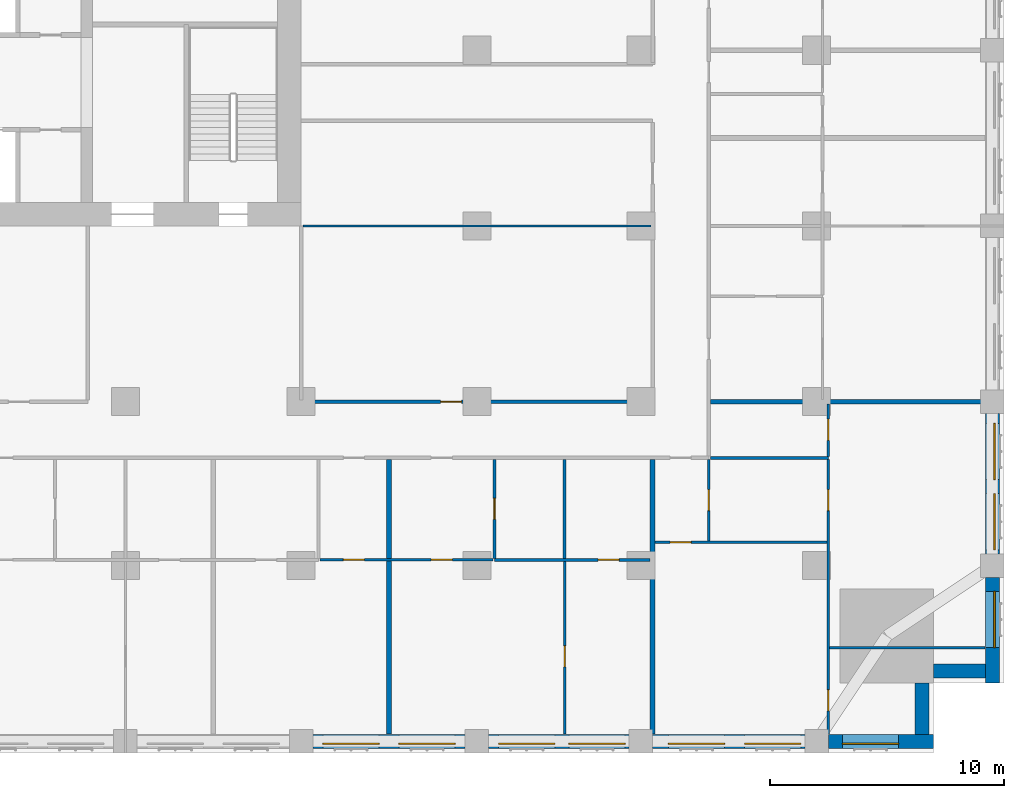
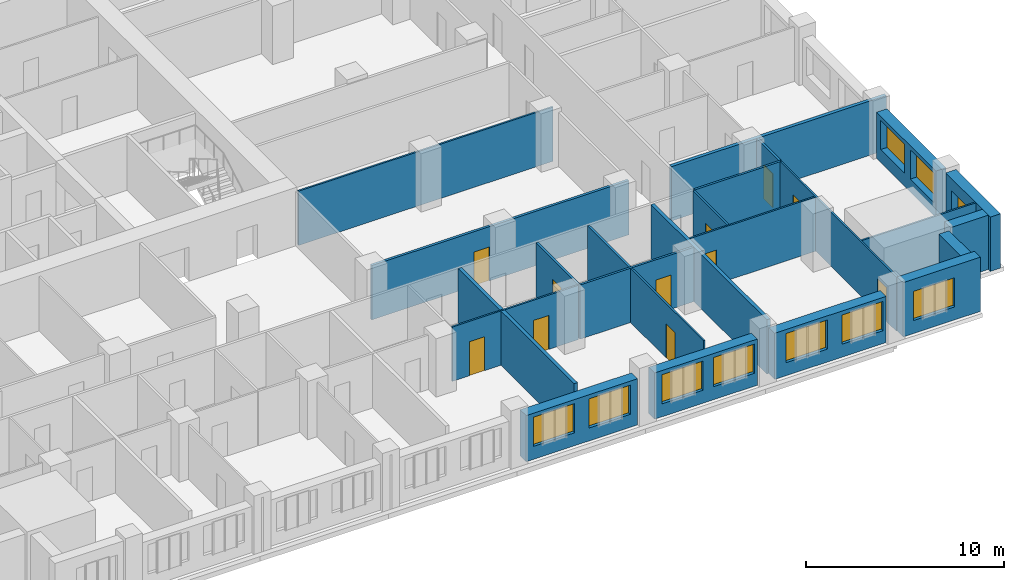
# One storey, part 6 of 14: 24 walls, 11 doors, 10 windows, 21 openings.
"""IFC4 building model written with IfcOpenShell, lengths in metres."""

from ifc_helpers import new_model, si_unit, direction, frame, frame_2d, origin, place, context, subcontext, project, spatial, rectangle, extrude, material, layer, layer_set, type_object, element, fill, save


model = new_model("IFC4")

# Units and contexts
model_context = context("Model", 3, precision=1e-05, world=origin(), true_north=direction((0.0, 1.0)))
body_context = subcontext(model_context, "Body", "Model", "MODEL_VIEW")
ifc_project = project(units=[si_unit("LENGTHUNIT", "METRE"), si_unit("AREAUNIT", "SQUARE_METRE"), si_unit("VOLUMEUNIT", "CUBIC_METRE"), si_unit("PLANEANGLEUNIT", "RADIAN"), si_unit("MASSUNIT", "GRAM", prefix="KILO")], contexts=[model_context])

# Site, building, storey
site_placement = place(None, origin())
site = spatial("IfcSite", under=ifc_project, at=site_placement, CompositionType="ELEMENT")
building_placement = place(site_placement, origin())
building = spatial("IfcBuilding", under=site, at=building_placement, Name="Tamorin Gate", CompositionType="ELEMENT")
storey_placement = place(building_placement, frame((0.0, 0.0, 55.60009765625)))
storey = spatial("IfcBuildingStorey", under=building, at=storey_placement, Name="L12", CompositionType="ELEMENT", Elevation=55.60009765625)

# Wall, openings, windows
ifc_material_1 = material(Name="Precast concrete C40/50", Category="concrete")
ifc_layer_1 = layer(ifc_material_1, 0.60009765625)
ifc_layer_set_1 = layer_set([ifc_layer_1], Name="Precast concrete C40/50")
wall_type_1 = type_object("IfcWallType", Name="Board-marked concrete facade panel 600", PredefinedType="SOLIDWALL", material=ifc_layer_set_1)
wall_1_placement = place(storey_placement, frame((60.5, 38.0, 0.0), z_axis=(0.0, 0.0, 1.0), x_axis=(1.0, 0.0, 0.0)))
wall_1 = element("IfcWall", 1, at=wall_1_placement, inside=storey, type_object=wall_type_1, Name="Facade panel", PredefinedType="SOLIDWALL", context=body_context, shape_type="SweptSolid", body=[
    extrude(rectangle(XDim=6.5, YDim=0.60009765625, at=frame_2d((3.25, 0.0))), origin(), (0.0, 0.0, 1.0), 2.849853515625),
])
opening_1_placement = place(wall_1_placement, frame((0.425048828125, 0.0, 0.800048828125)))
opening_1 = element("IfcOpeningElement", 2, at=opening_1_placement, cuts=wall_1, Name="Opening WN1", PredefinedType="OPENING", context=body_context, shape_type="SweptSolid", body=[
    extrude(rectangle(XDim=2.39990234375, YDim=1.800048828125, at=frame_2d((1.199951171875, 0.89990234375))), frame((0.0, 0.31005859375, 0.0), z_axis=(0.0, -1.0, 0.0), x_axis=(1.0, 0.0, 0.0)), (0.0, 0.0, 1.0), 0.6201171875),
])
opening_2_placement = place(wall_1_placement, frame((3.675048828125, 0.0, 0.800048828125)))
opening_2 = element("IfcOpeningElement", 3, at=opening_2_placement, cuts=wall_1, Name="Opening WN1", PredefinedType="OPENING", context=body_context, shape_type="SweptSolid", body=[
    extrude(rectangle(XDim=2.39990234375, YDim=1.800048828125, at=frame_2d((1.199951171875, 0.89990234375))), frame((0.0, 0.31005859375, 0.0), z_axis=(0.0, -1.0, 0.0), x_axis=(1.0, 0.0, 0.0)), (0.0, 0.0, 1.0), 0.6201171875),
])
ifc_material_2 = material(Name="Clear glass in aluminium frame", Category="aluminium")
window_type = type_object("IfcWindowType", Name="Deep-set window 2400x1800", PartitioningType="SINGLE_PANEL", PredefinedType="WINDOW", material=ifc_material_2)
window_1_placement = place(opening_1_placement, origin())
window_1 = element("IfcWindow", 4, at=window_1_placement, inside=storey, type_object=window_type, Name="Deep-set window", OverallHeight=1.800048828125, OverallWidth=2.39990234375, PartitioningType="SINGLE_PANEL", PredefinedType="WINDOW", context=body_context, shape_type="SweptSolid", body=[
    extrude(rectangle(XDim=2.39990234375, YDim=1.800048828125, at=frame_2d((1.199951171875, 0.89990234375))), frame((0.0, -0.070068359375, 0.0), z_axis=(0.0, -1.0, 0.0), x_axis=(1.0, 0.0, 0.0)), (0.0, 0.0, 1.0), 0.06005859375),
])
fill(opening_1, window_1)
window_2_placement = place(opening_2_placement, origin())
window_2 = element("IfcWindow", 5, at=window_2_placement, inside=storey, type_object=window_type, Name="Deep-set window", OverallHeight=1.800048828125, OverallWidth=2.39990234375, PartitioningType="SINGLE_PANEL", PredefinedType="WINDOW", context=body_context, shape_type="SweptSolid", body=[
    extrude(rectangle(XDim=2.39990234375, YDim=1.800048828125, at=frame_2d((1.199951171875, 0.89990234375))), frame((0.0, -0.070068359375, 0.0), z_axis=(0.0, -1.0, 0.0), x_axis=(1.0, 0.0, 0.0)), (0.0, 0.0, 1.0), 0.06005859375),
])
fill(opening_2, window_2)

wall_2_placement = place(storey_placement, frame((68.0, 38.0, 0.0), z_axis=(0.0, 0.0, 1.0), x_axis=(1.0, 0.0, 0.0)))
wall_2 = element("IfcWall", 6, at=wall_2_placement, inside=storey, type_object=wall_type_1, Name="Facade panel", PredefinedType="SOLIDWALL", context=body_context, shape_type="SweptSolid", body=[
    extrude(rectangle(XDim=6.0, YDim=0.60009765625, at=frame_2d((3.0, 0.0))), origin(), (0.0, 0.0, 1.0), 2.849853515625),
])
opening_3_placement = place(wall_2_placement, frame((0.425048828125, 0.0, 0.800048828125)))
opening_3 = element("IfcOpeningElement", 7, at=opening_3_placement, cuts=wall_2, Name="Opening WN1", PredefinedType="OPENING", context=body_context, shape_type="SweptSolid", body=[
    extrude(rectangle(XDim=2.39990234375, YDim=1.800048828125, at=frame_2d((1.199951171875, 0.89990234375))), frame((0.0, 0.31005859375, 0.0), z_axis=(0.0, -1.0, 0.0), x_axis=(1.0, 0.0, 0.0)), (0.0, 0.0, 1.0), 0.6201171875),
])
opening_4_placement = place(wall_2_placement, frame((3.425048828125, 0.0, 0.800048828125)))
opening_4 = element("IfcOpeningElement", 8, at=opening_4_placement, cuts=wall_2, Name="Opening WN1", PredefinedType="OPENING", context=body_context, shape_type="SweptSolid", body=[
    extrude(rectangle(XDim=2.39990234375, YDim=1.800048828125, at=frame_2d((1.199951171875, 0.89990234375))), frame((0.0, 0.31005859375, 0.0), z_axis=(0.0, -1.0, 0.0), x_axis=(1.0, 0.0, 0.0)), (0.0, 0.0, 1.0), 0.6201171875),
])
window_3_placement = place(opening_3_placement, origin())
window_3 = element("IfcWindow", 9, at=window_3_placement, inside=storey, type_object=window_type, Name="Deep-set window", OverallHeight=1.800048828125, OverallWidth=2.39990234375, PartitioningType="SINGLE_PANEL", PredefinedType="WINDOW", context=body_context, shape_type="SweptSolid", body=[
    extrude(rectangle(XDim=2.39990234375, YDim=1.800048828125, at=frame_2d((1.199951171875, 0.89990234375))), frame((0.0, -0.070068359375, 0.0), z_axis=(0.0, -1.0, 0.0), x_axis=(1.0, 0.0, 0.0)), (0.0, 0.0, 1.0), 0.06005859375),
])
fill(opening_3, window_3)
window_4_placement = place(opening_4_placement, origin())
window_4 = element("IfcWindow", 10, at=window_4_placement, inside=storey, type_object=window_type, Name="Deep-set window", OverallHeight=1.800048828125, OverallWidth=2.39990234375, PartitioningType="SINGLE_PANEL", PredefinedType="WINDOW", context=body_context, shape_type="SweptSolid", body=[
    extrude(rectangle(XDim=2.39990234375, YDim=1.800048828125, at=frame_2d((1.199951171875, 0.89990234375))), frame((0.0, -0.070068359375, 0.0), z_axis=(0.0, -1.0, 0.0), x_axis=(1.0, 0.0, 0.0)), (0.0, 0.0, 1.0), 0.06005859375),
])
fill(opening_4, window_4)

wall_3_placement = place(storey_placement, frame((75.0, 38.0, 0.0), z_axis=(0.0, 0.0, 1.0), x_axis=(1.0, 0.0, 0.0)))
wall_3 = element("IfcWall", 11, at=wall_3_placement, inside=storey, type_object=wall_type_1, Name="Facade panel", PredefinedType="SOLIDWALL", context=body_context, shape_type="SweptSolid", body=[
    extrude(rectangle(XDim=6.5, YDim=0.60009765625, at=frame_2d((3.25, 0.0))), origin(), (0.0, 0.0, 1.0), 2.849853515625),
])
opening_5_placement = place(wall_3_placement, frame((0.675048828125, 0.0, 0.800048828125)))
opening_5 = element("IfcOpeningElement", 12, at=opening_5_placement, cuts=wall_3, Name="Opening WN1", PredefinedType="OPENING", context=body_context, shape_type="SweptSolid", body=[
    extrude(rectangle(XDim=2.39990234375, YDim=1.800048828125, at=frame_2d((1.199951171875, 0.89990234375))), frame((0.0, 0.31005859375, 0.0), z_axis=(0.0, -1.0, 0.0), x_axis=(1.0, 0.0, 0.0)), (0.0, 0.0, 1.0), 0.6201171875),
])
opening_6_placement = place(wall_3_placement, frame((3.925048828125, 0.0, 0.800048828125)))
opening_6 = element("IfcOpeningElement", 13, at=opening_6_placement, cuts=wall_3, Name="Opening WN1", PredefinedType="OPENING", context=body_context, shape_type="SweptSolid", body=[
    extrude(rectangle(XDim=2.39990234375, YDim=1.800048828125, at=frame_2d((1.199951171875, 0.89990234375))), frame((0.0, 0.31005859375, 0.0), z_axis=(0.0, -1.0, 0.0), x_axis=(1.0, 0.0, 0.0)), (0.0, 0.0, 1.0), 0.6201171875),
])
window_5_placement = place(opening_5_placement, origin())
window_5 = element("IfcWindow", 14, at=window_5_placement, inside=storey, type_object=window_type, Name="Deep-set window", OverallHeight=1.800048828125, OverallWidth=2.39990234375, PartitioningType="SINGLE_PANEL", PredefinedType="WINDOW", context=body_context, shape_type="SweptSolid", body=[
    extrude(rectangle(XDim=2.39990234375, YDim=1.800048828125, at=frame_2d((1.199951171875, 0.89990234375))), frame((0.0, -0.070068359375, 0.0), z_axis=(0.0, -1.0, 0.0), x_axis=(1.0, 0.0, 0.0)), (0.0, 0.0, 1.0), 0.06005859375),
])
fill(opening_5, window_5)
window_6_placement = place(opening_6_placement, origin())
window_6 = element("IfcWindow", 15, at=window_6_placement, inside=storey, type_object=window_type, Name="Deep-set window", OverallHeight=1.800048828125, OverallWidth=2.39990234375, PartitioningType="SINGLE_PANEL", PredefinedType="WINDOW", context=body_context, shape_type="SweptSolid", body=[
    extrude(rectangle(XDim=2.39990234375, YDim=1.800048828125, at=frame_2d((1.199951171875, 0.89990234375))), frame((0.0, -0.070068359375, 0.0), z_axis=(0.0, -1.0, 0.0), x_axis=(1.0, 0.0, 0.0)), (0.0, 0.0, 1.0), 0.06005859375),
])
fill(opening_6, window_6)

# Wall, opening, window
wall_4_placement = place(storey_placement, frame((82.5, 38.0, 0.0), z_axis=(0.0, 0.0, 1.0), x_axis=(1.0, 0.0, 0.0)))
wall_4 = element("IfcWall", 16, at=wall_4_placement, inside=storey, type_object=wall_type_1, Name="Facade panel", PredefinedType="SOLIDWALL", context=body_context, shape_type="SweptSolid", body=[
    extrude(rectangle(XDim=4.5, YDim=0.60009765625, at=frame_2d((2.25, 0.0))), origin(), (0.0, 0.0, 1.0), 3.349853515625),
])
opening_7_placement = place(wall_4_placement, frame((0.60009765625, 0.0, 0.800048828125)))
opening_7 = element("IfcOpeningElement", 17, at=opening_7_placement, cuts=wall_4, Name="Opening WN1", PredefinedType="OPENING", context=body_context, shape_type="SweptSolid", body=[
    extrude(rectangle(XDim=2.39990234375, YDim=1.800048828125, at=frame_2d((1.199951171875, 0.89990234375))), frame((0.0, 0.31005859375, 0.0), z_axis=(0.0, -1.0, 0.0), x_axis=(1.0, 0.0, 0.0)), (0.0, 0.0, 1.0), 0.6201171875),
])
window_7_placement = place(opening_7_placement, origin())
window_7 = element("IfcWindow", 18, at=window_7_placement, inside=storey, type_object=window_type, Name="Deep-set window", OverallHeight=1.800048828125, OverallWidth=2.39990234375, PartitioningType="SINGLE_PANEL", PredefinedType="WINDOW", context=body_context, shape_type="SweptSolid", body=[
    extrude(rectangle(XDim=2.39990234375, YDim=1.800048828125, at=frame_2d((1.199951171875, 0.89990234375))), frame((0.0, -0.070068359375, 0.0), z_axis=(0.0, -1.0, 0.0), x_axis=(1.0, 0.0, 0.0)), (0.0, 0.0, 1.0), 0.06005859375),
])
fill(opening_7, window_7)

# Walls
for number, where, z_axis, x_axis, name in (
    (19, (86.5, 38.300048828125, 0.0), (0.0, 0.0, 1.0), (0.0, 1.0, 0.0), "Facade panel"),
    (20, (87.0, 41.0, 0.0), (0.0, 0.0, 1.0), (1.0, 0.0, 0.0), "Facade panel"),
):
    element("IfcWall", number, at=place(storey_placement, frame(where, z_axis=z_axis, x_axis=x_axis)), inside=storey, type_object=wall_type_1, Name=name, PredefinedType="SOLIDWALL", context=body_context, shape_type="SweptSolid", body=[
        extrude(rectangle(XDim=2.199951171875, YDim=0.60009765625, at=frame_2d((1.10009765625, 0.0))), origin(), (0.0, 0.0, 1.0), 3.349853515625),
    ])

# Wall, opening, window
wall_5_placement = place(storey_placement, frame((89.5, 40.5, 0.0), z_axis=(0.0, 0.0, 1.0), x_axis=(0.0, 1.0, 0.0)))
wall_5 = element("IfcWall", 21, at=wall_5_placement, inside=storey, type_object=wall_type_1, Name="Facade panel", PredefinedType="SOLIDWALL", context=body_context, shape_type="SweptSolid", body=[
    extrude(rectangle(XDim=4.5, YDim=0.60009765625, at=frame_2d((2.25, 0.0))), origin(), (0.0, 0.0, 1.0), 3.349853515625),
])
opening_8_placement = place(wall_5_placement, frame((1.5, 0.0, 0.800048828125)))
opening_8 = element("IfcOpeningElement", 22, at=opening_8_placement, cuts=wall_5, Name="Opening WN1", PredefinedType="OPENING", context=body_context, shape_type="SweptSolid", body=[
    extrude(rectangle(XDim=2.39990234375, YDim=1.800048828125, at=frame_2d((1.199951171875, 0.89990234375))), frame((0.0, 0.31005859375, 0.0), z_axis=(0.0, -1.0, 0.0), x_axis=(1.0, 0.0, 0.0)), (0.0, 0.0, 1.0), 0.6201171875),
])
window_8_placement = place(opening_8_placement, origin())
window_8 = element("IfcWindow", 23, at=window_8_placement, inside=storey, type_object=window_type, Name="Deep-set window", OverallHeight=1.800048828125, OverallWidth=2.39990234375, PartitioningType="SINGLE_PANEL", PredefinedType="WINDOW", context=body_context, shape_type="SweptSolid", body=[
    extrude(rectangle(XDim=2.39990234375, YDim=1.800048828125, at=frame_2d((1.199951171875, 0.89990234375))), frame((0.0, -0.070068359375, 0.0), z_axis=(0.0, -1.0, 0.0), x_axis=(1.0, 0.0, 0.0)), (0.0, 0.0, 1.0), 0.06005859375),
])
fill(opening_8, window_8)

# Wall, openings, windows
wall_6_placement = place(storey_placement, frame((89.5, 46.0, 0.0), z_axis=(0.0, 0.0, 1.0), x_axis=(0.0, 1.0, 0.0)))
wall_6 = element("IfcWall", 24, at=wall_6_placement, inside=storey, type_object=wall_type_1, Name="Facade panel", PredefinedType="SOLIDWALL", context=body_context, shape_type="SweptSolid", body=[
    extrude(rectangle(XDim=6.0, YDim=0.60009765625, at=frame_2d((3.0, 0.0))), origin(), (0.0, 0.0, 1.0), 2.849853515625),
])
opening_9_placement = place(wall_6_placement, frame((0.175048828125, 0.0, 0.800048828125)))
opening_9 = element("IfcOpeningElement", 25, at=opening_9_placement, cuts=wall_6, Name="Opening WN1", PredefinedType="OPENING", context=body_context, shape_type="SweptSolid", body=[
    extrude(rectangle(XDim=2.39990234375, YDim=1.800048828125, at=frame_2d((1.199951171875, 0.89990234375))), frame((0.0, 0.31005859375, 0.0), z_axis=(0.0, -1.0, 0.0), x_axis=(1.0, 0.0, 0.0)), (0.0, 0.0, 1.0), 0.6201171875),
])
opening_10_placement = place(wall_6_placement, frame((3.175048828125, 0.0, 0.800048828125)))
opening_10 = element("IfcOpeningElement", 26, at=opening_10_placement, cuts=wall_6, Name="Opening WN1", PredefinedType="OPENING", context=body_context, shape_type="SweptSolid", body=[
    extrude(rectangle(XDim=2.39990234375, YDim=1.800048828125, at=frame_2d((1.199951171875, 0.89990234375))), frame((0.0, 0.31005859375, 0.0), z_axis=(0.0, -1.0, 0.0), x_axis=(1.0, 0.0, 0.0)), (0.0, 0.0, 1.0), 0.6201171875),
])
window_9_placement = place(opening_9_placement, origin())
window_9 = element("IfcWindow", 27, at=window_9_placement, inside=storey, type_object=window_type, Name="Deep-set window", OverallHeight=1.800048828125, OverallWidth=2.39990234375, PartitioningType="SINGLE_PANEL", PredefinedType="WINDOW", context=body_context, shape_type="SweptSolid", body=[
    extrude(rectangle(XDim=2.39990234375, YDim=1.800048828125, at=frame_2d((1.199951171875, 0.89990234375))), frame((0.0, -0.070068359375, 0.0), z_axis=(0.0, -1.0, 0.0), x_axis=(1.0, 0.0, 0.0)), (0.0, 0.0, 1.0), 0.06005859375),
])
fill(opening_9, window_9)
window_10_placement = place(opening_10_placement, origin())
window_10 = element("IfcWindow", 28, at=window_10_placement, inside=storey, type_object=window_type, Name="Deep-set window", OverallHeight=1.800048828125, OverallWidth=2.39990234375, PartitioningType="SINGLE_PANEL", PredefinedType="WINDOW", context=body_context, shape_type="SweptSolid", body=[
    extrude(rectangle(XDim=2.39990234375, YDim=1.800048828125, at=frame_2d((1.199951171875, 0.89990234375))), frame((0.0, -0.070068359375, 0.0), z_axis=(0.0, -1.0, 0.0), x_axis=(1.0, 0.0, 0.0)), (0.0, 0.0, 1.0), 0.06005859375),
])
fill(opening_10, window_10)

# Wall, opening, door
ifc_material_3 = material(Name="Gypsum board partition")
ifc_layer_2 = layer(ifc_material_3, 0.14990234375)
ifc_layer_set_2 = layer_set([ifc_layer_2], Name="Corridor wall 150")
wall_type_2 = type_object("IfcWallType", Name="Corridor wall 150", PredefinedType="PARTITIONING", material=ifc_layer_set_2)
wall_7_placement = place(storey_placement, frame((60.0, 52.5, 0.0), z_axis=(0.0, 0.0, 1.0), x_axis=(1.0, 0.0, 0.0)))
wall_7 = element("IfcWall", 29, at=wall_7_placement, inside=storey, type_object=wall_type_2, Name="Corridor wall 150", PredefinedType="PARTITIONING", context=body_context, shape_type="SweptSolid", body=[
    extrude(rectangle(XDim=15.0, YDim=0.14990234375, at=frame_2d((7.5, 0.0))), origin(), (0.0, 0.0, 1.0), 3.349853515625),
])
opening_11_placement = place(wall_7_placement, frame((5.949951171875, 0.0, 0.0)))
opening_11 = element("IfcOpeningElement", 30, at=opening_11_placement, cuts=wall_7, Name="Opening DH3076", PredefinedType="OPENING", context=body_context, shape_type="SweptSolid", body=[
    extrude(rectangle(XDim=0.89990234375, YDim=2.10009765625, at=frame_2d((0.449951171875, 1.050048828125))), frame((0.0, 0.0849609375, 0.0), z_axis=(0.0, -1.0, 0.0), x_axis=(1.0, 0.0, 0.0)), (0.0, 0.0, 1.0), 0.169921875),
])
ifc_material_4 = material(Name="Timber door leaf", Category="wood")
door_type_1 = type_object("IfcDoorType", Name="Door 900 x 2100 FD30S", OperationType="NOTDEFINED", PredefinedType="DOOR", material=ifc_material_4)
door_1_placement = place(opening_11_placement, origin())
door_1 = element("IfcDoor", 31, at=door_1_placement, inside=storey, type_object=door_type_1, Name="Door DH3076", OperationType="SINGLE_SWING_LEFT", OverallHeight=2.10009765625, OverallWidth=0.89990234375, PredefinedType="DOOR", context=body_context, shape_type="SweptSolid", body=[
    extrude(rectangle(XDim=0.89990234375, YDim=2.10009765625, at=frame_2d((0.449951171875, 1.050048828125))), frame((0.0, 0.02490234375, 0.0), z_axis=(0.0, -1.0, 0.0), x_axis=(1.0, 0.0, 0.0)), (0.0, 0.0, 1.0), 0.050048828125),
])
fill(opening_11, door_1)

# Walls
ifc_layer_3 = layer(ifc_material_3, 0.199951171875)
ifc_layer_set_3 = layer_set([ifc_layer_3], Name="Demising wall 200")
wall_type_3 = type_object("IfcWallType", Name="Demising wall 200", PredefinedType="PARTITIONING", material=ifc_layer_set_3)
wall_8_placement = place(storey_placement, frame((77.47509765625, 52.5, 0.0), z_axis=(0.0, 0.0, 1.0), x_axis=(1.0, 0.0, 0.0)))
element("IfcWall", 32, at=wall_8_placement, inside=storey, type_object=wall_type_3, Name="Demising wall 200", PredefinedType="PARTITIONING", context=body_context, shape_type="SweptSolid", body=[
    extrude(rectangle(XDim=12.52490234375, YDim=0.199951171875, at=frame_2d((6.262451171875, 0.0))), origin(), (0.0, 0.0, 1.0), 3.349853515625),
])
for number, where, z_axis, x_axis, name in (
    (33, (63.75, 38.31005859375, 0.0), (0.0, 0.0, 1.0), (0.0, 1.0, 0.0), "Demising wall 200"),
    (34, (75.0, 38.31005859375, 0.0), (0.0, 0.0, 1.0), (0.0, 1.0, 0.0), "Demising wall 200"),
):
    element("IfcWall", number, at=place(storey_placement, frame(where, z_axis=z_axis, x_axis=x_axis)), inside=storey, type_object=wall_type_3, Name=name, PredefinedType="PARTITIONING", context=body_context, shape_type="SweptSolid", body=[
        extrude(rectangle(XDim=11.71484375, YDim=0.199951171875, at=frame_2d((5.857421875, 0.0))), origin(), (0.0, 0.0, 1.0), 3.349853515625),
    ])
ifc_layer_4 = layer(ifc_material_3, 0.10009765625)
ifc_layer_set_4 = layer_set([ifc_layer_4], Name="Room partition 100")
wall_type_4 = type_object("IfcWallType", Name="Room partition 100", PredefinedType="PARTITIONING", material=ifc_layer_set_4)
wall_9_placement = place(storey_placement, frame((82.550048828125, 42.0, 0.0), z_axis=(0.0, 0.0, 1.0), x_axis=(1.0, 0.0, 0.0)))
element("IfcWall", 35, at=wall_9_placement, inside=storey, type_object=wall_type_4, Name="Room partition 100", PredefinedType="PARTITIONING", context=body_context, shape_type="SweptSolid", body=[
    extrude(rectangle(XDim=6.639892578125, YDim=0.10009765625, at=frame_2d((3.31982421875, 0.0))), origin(), (0.0, 0.0, 1.0), 3.349853515625),
])

# Wall, openings, doors
wall_10_placement = place(storey_placement, frame((60.8125, 45.75, 0.0), z_axis=(0.0, 0.0, 1.0), x_axis=(1.0, 0.0, 0.0)))
wall_10 = element("IfcWall", 36, at=wall_10_placement, inside=storey, type_object=wall_type_4, Name="Room partition 100", PredefinedType="PARTITIONING", context=body_context, shape_type="SweptSolid", body=[
    extrude(rectangle(XDim=7.375, YDim=0.10009765625, at=frame_2d((3.6875, 0.0))), origin(), (0.0, 0.0, 1.0), 3.349853515625),
])
opening_12_placement = place(wall_10_placement, frame((0.987548828125, 0.0, 0.0)))
opening_12 = element("IfcOpeningElement", 37, at=opening_12_placement, cuts=wall_10, Name="Opening DH3014", PredefinedType="OPENING", context=body_context, shape_type="SweptSolid", body=[
    extrude(rectangle(XDim=0.89990234375, YDim=2.10009765625, at=frame_2d((0.449951171875, 1.050048828125))), frame((0.0, 0.06005859375, 0.0), z_axis=(0.0, -1.0, 0.0), x_axis=(1.0, 0.0, 0.0)), (0.0, 0.0, 1.0), 0.1201171875),
])
opening_13_placement = place(wall_10_placement, frame((4.737548828125, 0.0, 0.0)))
opening_13 = element("IfcOpeningElement", 38, at=opening_13_placement, cuts=wall_10, Name="Opening DH3016", PredefinedType="OPENING", context=body_context, shape_type="SweptSolid", body=[
    extrude(rectangle(XDim=0.89990234375, YDim=2.10009765625, at=frame_2d((0.449951171875, 1.050048828125))), frame((0.0, 0.06005859375, 0.0), z_axis=(0.0, -1.0, 0.0), x_axis=(1.0, 0.0, 0.0)), (0.0, 0.0, 1.0), 0.1201171875),
])
door_type_2 = type_object("IfcDoorType", Name="Door 900 x 2100", OperationType="NOTDEFINED", PredefinedType="DOOR", material=ifc_material_4)
door_2_placement = place(opening_12_placement, origin())
door_2 = element("IfcDoor", 39, at=door_2_placement, inside=storey, type_object=door_type_2, Name="Door DH3014", OperationType="SINGLE_SWING_LEFT", OverallHeight=2.10009765625, OverallWidth=0.89990234375, PredefinedType="DOOR", context=body_context, shape_type="SweptSolid", body=[
    extrude(rectangle(XDim=0.89990234375, YDim=2.10009765625, at=frame_2d((0.449951171875, 1.050048828125))), frame((0.0, 0.02490234375, 0.0), z_axis=(0.0, -1.0, 0.0), x_axis=(1.0, 0.0, 0.0)), (0.0, 0.0, 1.0), 0.050048828125),
])
fill(opening_12, door_2)
door_3_placement = place(opening_13_placement, origin())
door_3 = element("IfcDoor", 40, at=door_3_placement, inside=storey, type_object=door_type_2, Name="Door DH3016", OperationType="SINGLE_SWING_LEFT", OverallHeight=2.10009765625, OverallWidth=0.89990234375, PredefinedType="DOOR", context=body_context, shape_type="SweptSolid", body=[
    extrude(rectangle(XDim=0.89990234375, YDim=2.10009765625, at=frame_2d((0.449951171875, 1.050048828125))), frame((0.0, 0.02490234375, 0.0), z_axis=(0.0, -1.0, 0.0), x_axis=(1.0, 0.0, 0.0)), (0.0, 0.0, 1.0), 0.050048828125),
])
fill(opening_13, door_3)

# Wall, opening, door
wall_11_placement = place(storey_placement, frame((75.10009765625, 46.5, 0.0), z_axis=(0.0, 0.0, 1.0), x_axis=(1.0, 0.0, 0.0)))
wall_11 = element("IfcWall", 41, at=wall_11_placement, inside=storey, type_object=wall_type_4, Name="Room partition 100", PredefinedType="PARTITIONING", context=body_context, shape_type="SweptSolid", body=[
    extrude(rectangle(XDim=7.349853515625, YDim=0.10009765625, at=frame_2d((3.6748046875, 0.0))), origin(), (0.0, 0.0, 1.0), 3.349853515625),
])
opening_14_placement = place(wall_11_placement, frame((0.64990234375, 0.0, 0.0)))
opening_14 = element("IfcOpeningElement", 42, at=opening_14_placement, cuts=wall_11, Name="Opening DH3062", PredefinedType="OPENING", context=body_context, shape_type="SweptSolid", body=[
    extrude(rectangle(XDim=0.89990234375, YDim=2.10009765625, at=frame_2d((0.449951171875, 1.050048828125))), frame((0.0, 0.06005859375, 0.0), z_axis=(0.0, -1.0, 0.0), x_axis=(1.0, 0.0, 0.0)), (0.0, 0.0, 1.0), 0.1201171875),
])
door_4_placement = place(opening_14_placement, origin())
door_4 = element("IfcDoor", 43, at=door_4_placement, inside=storey, type_object=door_type_2, Name="Door DH3062", OperationType="SINGLE_SWING_RIGHT", OverallHeight=2.10009765625, OverallWidth=0.89990234375, PredefinedType="DOOR", context=body_context, shape_type="SweptSolid", body=[
    extrude(rectangle(XDim=0.89990234375, YDim=2.10009765625, at=frame_2d((0.449951171875, 1.050048828125))), frame((0.0, 0.02490234375, 0.0), z_axis=(0.0, -1.0, 0.0), x_axis=(1.0, 0.0, 0.0)), (0.0, 0.0, 1.0), 0.050048828125),
])
fill(opening_14, door_4)

# Wall
wall_12_placement = place(storey_placement, frame((60.074951171875, 60.0, 0.0), z_axis=(0.0, 0.0, 1.0), x_axis=(1.0, 0.0, 0.0)))
element("IfcWall", 44, at=wall_12_placement, inside=storey, type_object=wall_type_4, Name="Room partition 100", PredefinedType="PARTITIONING", context=body_context, shape_type="SweptSolid", body=[
    extrude(rectangle(XDim=14.85009765625, YDim=0.10009765625, at=frame_2d((7.425048828125, 0.0))), origin(), (0.0, 0.0, 1.0), 3.349853515625),
])

# Wall, opening, door
wall_13_placement = place(storey_placement, frame((71.25, 38.31005859375, 0.0), z_axis=(0.0, 0.0, 1.0), x_axis=(0.0, 1.0, 0.0)))
wall_13 = element("IfcWall", 45, at=wall_13_placement, inside=storey, type_object=wall_type_4, Name="Room partition 100", PredefinedType="PARTITIONING", context=body_context, shape_type="SweptSolid", body=[
    extrude(rectangle(XDim=7.37744140625, YDim=0.10009765625, at=frame_2d((3.688720703125, 0.0))), origin(), (0.0, 0.0, 1.0), 3.349853515625),
])
opening_15_placement = place(wall_13_placement, frame((2.864990234375, 0.0, 0.0)))
opening_15 = element("IfcOpeningElement", 46, at=opening_15_placement, cuts=wall_13, Name="Opening DH3019", PredefinedType="OPENING", context=body_context, shape_type="SweptSolid", body=[
    extrude(rectangle(XDim=0.89990234375, YDim=2.10009765625, at=frame_2d((0.449951171875, 1.050048828125))), frame((0.0, 0.06005859375, 0.0), z_axis=(0.0, -1.0, 0.0), x_axis=(1.0, 0.0, 0.0)), (0.0, 0.0, 1.0), 0.1201171875),
])
door_5_placement = place(opening_15_placement, origin())
door_5 = element("IfcDoor", 47, at=door_5_placement, inside=storey, type_object=door_type_2, Name="Door DH3019", OperationType="SINGLE_SWING_LEFT", OverallHeight=2.10009765625, OverallWidth=0.89990234375, PredefinedType="DOOR", context=body_context, shape_type="SweptSolid", body=[
    extrude(rectangle(XDim=0.89990234375, YDim=2.10009765625, at=frame_2d((0.449951171875, 1.050048828125))), frame((0.0, 0.02490234375, 0.0), z_axis=(0.0, -1.0, 0.0), x_axis=(1.0, 0.0, 0.0)), (0.0, 0.0, 1.0), 0.050048828125),
])
fill(opening_15, door_5)

wall_14_placement = place(storey_placement, frame((77.39990234375, 46.550048828125, 0.0), z_axis=(0.0, 0.0, 1.0), x_axis=(0.0, 1.0, 0.0)))
wall_14 = element("IfcWall", 48, at=wall_14_placement, inside=storey, type_object=wall_type_4, Name="Room partition 100", PredefinedType="PARTITIONING", context=body_context, shape_type="SweptSolid", body=[
    extrude(rectangle(XDim=3.474853515625, YDim=0.10009765625, at=frame_2d((1.7373046875, 0.0))), origin(), (0.0, 0.0, 1.0), 3.349853515625),
])
opening_16_placement = place(wall_14_placement, frame((1.300048828125, 0.0, 0.0)))
opening_16 = element("IfcOpeningElement", 49, at=opening_16_placement, cuts=wall_14, Name="Opening DH3063", PredefinedType="OPENING", context=body_context, shape_type="SweptSolid", body=[
    extrude(rectangle(XDim=0.89990234375, YDim=2.10009765625, at=frame_2d((0.449951171875, 1.050048828125))), frame((0.0, 0.06005859375, 0.0), z_axis=(0.0, -1.0, 0.0), x_axis=(1.0, 0.0, 0.0)), (0.0, 0.0, 1.0), 0.1201171875),
])
door_6_placement = place(opening_16_placement, origin())
door_6 = element("IfcDoor", 50, at=door_6_placement, inside=storey, type_object=door_type_2, Name="Door DH3063", OperationType="SINGLE_SWING_RIGHT", OverallHeight=2.10009765625, OverallWidth=0.89990234375, PredefinedType="DOOR", context=body_context, shape_type="SweptSolid", body=[
    extrude(rectangle(XDim=0.89990234375, YDim=2.10009765625, at=frame_2d((0.449951171875, 1.050048828125))), frame((0.0, 0.02490234375, 0.0), z_axis=(0.0, -1.0, 0.0), x_axis=(1.0, 0.0, 0.0)), (0.0, 0.0, 1.0), 0.050048828125),
])
fill(opening_16, door_6)

# Wall, openings, doors
wall_15_placement = place(storey_placement, frame((82.5, 38.31005859375, 0.0), z_axis=(0.0, 0.0, 1.0), x_axis=(0.0, 1.0, 0.0)))
wall_15 = element("IfcWall", 51, at=wall_15_placement, inside=storey, type_object=wall_type_4, Name="Room partition 100", PredefinedType="PARTITIONING", context=body_context, shape_type="SweptSolid", body=[
    extrude(rectangle(XDim=11.7275390625, YDim=0.10009765625, at=frame_2d((5.86376953125, 0.0))), origin(), (0.0, 0.0, 1.0), 3.349853515625),
])
opening_17_placement = place(wall_15_placement, frame((0.989990234375, 0.0, 0.0)))
opening_17 = element("IfcOpeningElement", 52, at=opening_17_placement, cuts=wall_15, Name="Opening DH3064", PredefinedType="OPENING", context=body_context, shape_type="SweptSolid", body=[
    extrude(rectangle(XDim=0.89990234375, YDim=2.10009765625, at=frame_2d((0.449951171875, 1.050048828125))), frame((0.0, 0.06005859375, 0.0), z_axis=(0.0, -1.0, 0.0), x_axis=(1.0, 0.0, 0.0)), (0.0, 0.0, 1.0), 0.1201171875),
])
opening_18_placement = place(wall_15_placement, frame((9.5400390625, 0.0, 0.0)))
opening_18 = element("IfcOpeningElement", 53, at=opening_18_placement, cuts=wall_15, Name="Opening DH3065", PredefinedType="OPENING", context=body_context, shape_type="SweptSolid", body=[
    extrude(rectangle(XDim=0.89990234375, YDim=2.10009765625, at=frame_2d((0.449951171875, 1.050048828125))), frame((0.0, 0.06005859375, 0.0), z_axis=(0.0, -1.0, 0.0), x_axis=(1.0, 0.0, 0.0)), (0.0, 0.0, 1.0), 0.1201171875),
])
door_7_placement = place(opening_17_placement, origin())
door_7 = element("IfcDoor", 54, at=door_7_placement, inside=storey, type_object=door_type_2, Name="Door DH3064", OperationType="SINGLE_SWING_LEFT", OverallHeight=2.10009765625, OverallWidth=0.89990234375, PredefinedType="DOOR", context=body_context, shape_type="SweptSolid", body=[
    extrude(rectangle(XDim=0.89990234375, YDim=2.10009765625, at=frame_2d((0.449951171875, 1.050048828125))), frame((0.0, 0.02490234375, 0.0), z_axis=(0.0, -1.0, 0.0), x_axis=(1.0, 0.0, 0.0)), (0.0, 0.0, 1.0), 0.050048828125),
])
fill(opening_17, door_7)
door_8_placement = place(opening_18_placement, origin())
door_8 = element("IfcDoor", 55, at=door_8_placement, inside=storey, type_object=door_type_2, Name="Door DH3065", OperationType="SINGLE_SWING_RIGHT", OverallHeight=2.10009765625, OverallWidth=0.89990234375, PredefinedType="DOOR", context=body_context, shape_type="SweptSolid", body=[
    extrude(rectangle(XDim=0.89990234375, YDim=2.10009765625, at=frame_2d((0.449951171875, 1.050048828125))), frame((0.0, 0.02490234375, 0.0), z_axis=(0.0, -1.0, 0.0), x_axis=(1.0, 0.0, 0.0)), (0.0, 0.0, 1.0), 0.050048828125),
])
fill(opening_18, door_8)

# Wall, opening, door
ifc_layer_5 = layer(ifc_material_3, 0.125)
ifc_layer_set_5 = layer_set([ifc_layer_5], Name="Wet wall 125")
wall_type_5 = type_object("IfcWallType", Name="Wet wall 125", PredefinedType="PARTITIONING", material=ifc_layer_set_5)
wall_16_placement = place(storey_placement, frame((68.25, 45.75, 0.0), z_axis=(0.0, 0.0, 1.0), x_axis=(1.0, 0.0, 0.0)))
wall_16 = element("IfcWall", 56, at=wall_16_placement, inside=storey, type_object=wall_type_5, Name="Wet wall 125", PredefinedType="PARTITIONING", context=body_context, shape_type="SweptSolid", body=[
    extrude(rectangle(XDim=6.64990234375, YDim=0.125, at=frame_2d((3.324951171875, 0.0))), origin(), (0.0, 0.0, 1.0), 3.349853515625),
])
opening_19_placement = place(wall_16_placement, frame((4.425048828125, 0.0, 0.0)))
opening_19 = element("IfcOpeningElement", 57, at=opening_19_placement, cuts=wall_16, Name="Opening DH3018", PredefinedType="OPENING", context=body_context, shape_type="SweptSolid", body=[
    extrude(rectangle(XDim=0.89990234375, YDim=2.10009765625, at=frame_2d((0.449951171875, 1.050048828125))), frame((0.0, 0.072509765625, 0.0), z_axis=(0.0, -1.0, 0.0), x_axis=(1.0, 0.0, 0.0)), (0.0, 0.0, 1.0), 0.14501953125),
])
door_9_placement = place(opening_19_placement, origin())
door_9 = element("IfcDoor", 58, at=door_9_placement, inside=storey, type_object=door_type_2, Name="Door DH3018", OperationType="SINGLE_SWING_LEFT", OverallHeight=2.10009765625, OverallWidth=0.89990234375, PredefinedType="DOOR", context=body_context, shape_type="SweptSolid", body=[
    extrude(rectangle(XDim=0.89990234375, YDim=2.10009765625, at=frame_2d((0.449951171875, 1.050048828125))), frame((0.0, 0.02490234375, 0.0), z_axis=(0.0, -1.0, 0.0), x_axis=(1.0, 0.0, 0.0)), (0.0, 0.0, 1.0), 0.050048828125),
])
fill(opening_19, door_9)

# Wall
wall_17_placement = place(storey_placement, frame((77.47509765625, 50.10009765625, 0.0), z_axis=(0.0, 0.0, 1.0), x_axis=(1.0, 0.0, 0.0)))
element("IfcWall", 59, at=wall_17_placement, inside=storey, type_object=wall_type_5, Name="Wet wall 125", PredefinedType="PARTITIONING", context=body_context, shape_type="SweptSolid", body=[
    extrude(rectangle(XDim=5.02490234375, YDim=0.125, at=frame_2d((2.512451171875, 0.0))), origin(), (0.0, 0.0, 1.0), 3.349853515625),
])

# Wall, opening, door
wall_18_placement = place(storey_placement, frame((68.25, 45.8125, 0.0), z_axis=(0.0, 0.0, 1.0), x_axis=(0.0, 1.0, 0.0)))
wall_18 = element("IfcWall", 60, at=wall_18_placement, inside=storey, type_object=wall_type_5, Name="Wet wall 125", PredefinedType="PARTITIONING", context=body_context, shape_type="SweptSolid", body=[
    extrude(rectangle(XDim=4.21240234375, YDim=0.125, at=frame_2d((2.106201171875, 0.0))), origin(), (0.0, 0.0, 1.0), 3.349853515625),
])
opening_20_placement = place(wall_18_placement, frame((1.66259765625, 0.0, 0.0)))
opening_20 = element("IfcOpeningElement", 61, at=opening_20_placement, cuts=wall_18, Name="Opening DH3017", PredefinedType="OPENING", context=body_context, shape_type="SweptSolid", body=[
    extrude(rectangle(XDim=0.89990234375, YDim=2.10009765625, at=frame_2d((0.449951171875, 1.050048828125))), frame((0.0, 0.072509765625, 0.0), z_axis=(0.0, -1.0, 0.0), x_axis=(1.0, 0.0, 0.0)), (0.0, 0.0, 1.0), 0.14501953125),
])
door_10_placement = place(opening_20_placement, origin())
door_10 = element("IfcDoor", 62, at=door_10_placement, inside=storey, type_object=door_type_2, Name="Door DH3017", OperationType="SINGLE_SWING_LEFT", OverallHeight=2.10009765625, OverallWidth=0.89990234375, PredefinedType="DOOR", context=body_context, shape_type="SweptSolid", body=[
    extrude(rectangle(XDim=0.89990234375, YDim=2.10009765625, at=frame_2d((0.449951171875, 1.050048828125))), frame((0.0, 0.02490234375, 0.0), z_axis=(0.0, -1.0, 0.0), x_axis=(1.0, 0.0, 0.0)), (0.0, 0.0, 1.0), 0.050048828125),
])
fill(opening_20, door_10)

# Wall
wall_19_placement = place(storey_placement, frame((71.25, 45.8125, 0.0), z_axis=(0.0, 0.0, 1.0), x_axis=(0.0, 1.0, 0.0)))
element("IfcWall", 63, at=wall_19_placement, inside=storey, type_object=wall_type_5, Name="Wet wall 125", PredefinedType="PARTITIONING", context=body_context, shape_type="SweptSolid", body=[
    extrude(rectangle(XDim=4.21240234375, YDim=0.125, at=frame_2d((2.106201171875, 0.0))), origin(), (0.0, 0.0, 1.0), 3.349853515625),
])

# Wall, opening, door
wall_20_placement = place(storey_placement, frame((82.5, 50.16259765625, 0.0), z_axis=(0.0, 0.0, 1.0), x_axis=(0.0, 1.0, 0.0)))
wall_20 = element("IfcWall", 64, at=wall_20_placement, inside=storey, type_object=wall_type_5, Name="Wet wall 125", PredefinedType="PARTITIONING", context=body_context, shape_type="SweptSolid", body=[
    extrude(rectangle(XDim=2.2373046875, YDim=0.125, at=frame_2d((1.11865234375, 0.0))), origin(), (0.0, 0.0, 1.0), 3.349853515625),
])
opening_21_placement = place(wall_20_placement, frame((0.6875, 0.0, 0.0)))
opening_21 = element("IfcOpeningElement", 65, at=opening_21_placement, cuts=wall_20, Name="Opening DH3066", PredefinedType="OPENING", context=body_context, shape_type="SweptSolid", body=[
    extrude(rectangle(XDim=0.89990234375, YDim=2.10009765625, at=frame_2d((0.449951171875, 1.050048828125))), frame((0.0, 0.072509765625, 0.0), z_axis=(0.0, -1.0, 0.0), x_axis=(1.0, 0.0, 0.0)), (0.0, 0.0, 1.0), 0.14501953125),
])
door_11_placement = place(opening_21_placement, origin())
door_11 = element("IfcDoor", 66, at=door_11_placement, inside=storey, type_object=door_type_2, Name="Door DH3066", OperationType="SINGLE_SWING_LEFT", OverallHeight=2.10009765625, OverallWidth=0.89990234375, PredefinedType="DOOR", context=body_context, shape_type="SweptSolid", body=[
    extrude(rectangle(XDim=0.89990234375, YDim=2.10009765625, at=frame_2d((0.449951171875, 1.050048828125))), frame((0.0, 0.02490234375, 0.0), z_axis=(0.0, -1.0, 0.0), x_axis=(1.0, 0.0, 0.0)), (0.0, 0.0, 1.0), 0.050048828125),
])
fill(opening_21, door_11)

save(model, "model.ifc")
